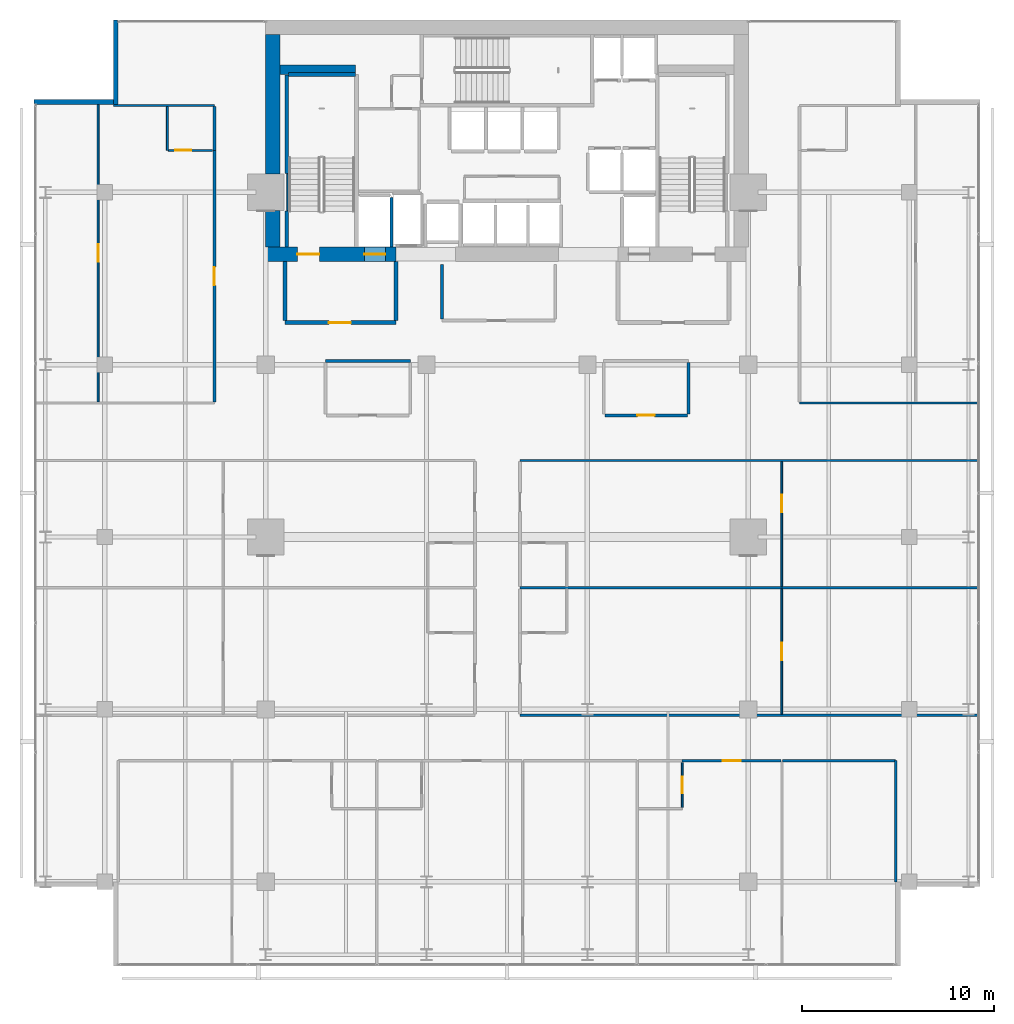
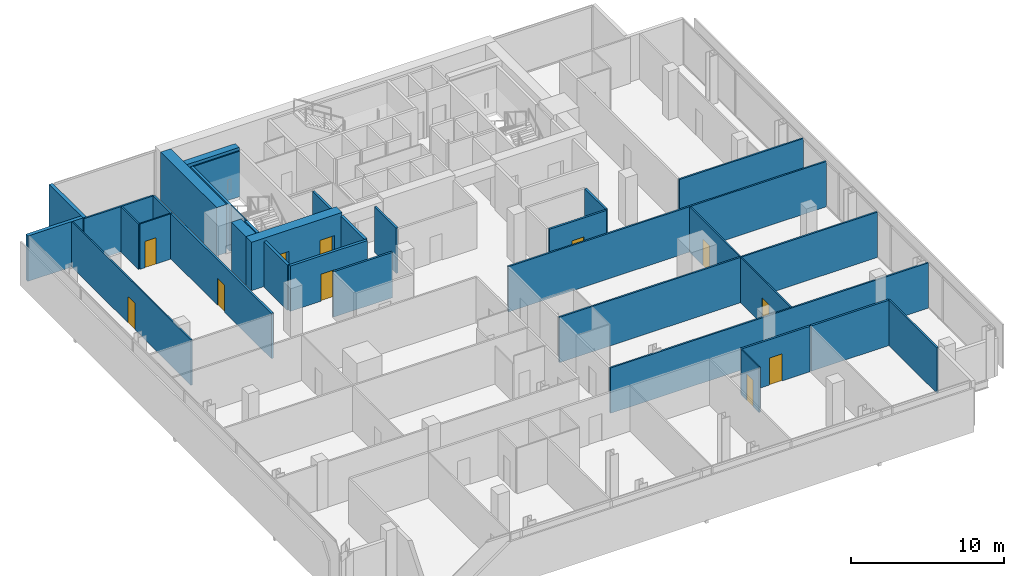
# One storey, part 28 of 32: 34 walls, 11 doors, 11 openings.
"""IFC4 building model written with IfcOpenShell, lengths in metres."""

from ifc_helpers import new_model, si_unit, direction, frame, frame_2d, origin, place, context, subcontext, project, spatial, rectangle, extrude, material, layer, layer_set, type_object, element, fill, save


model = new_model("IFC4")

# Units and contexts
model_context = context("Model", 3, precision=1e-05, world=origin(), true_north=direction((0.0, 1.0)))
body_context = subcontext(model_context, "Body", "Model", "MODEL_VIEW")
ifc_project = project(units=[si_unit("LENGTHUNIT", "METRE"), si_unit("AREAUNIT", "SQUARE_METRE"), si_unit("VOLUMEUNIT", "CUBIC_METRE"), si_unit("PLANEANGLEUNIT", "RADIAN"), si_unit("MASSUNIT", "GRAM", prefix="KILO")], contexts=[model_context])

# Site, building, storey
site_placement = place(None, origin())
site = spatial("IfcSite", under=ifc_project, at=site_placement, CompositionType="ELEMENT")
building_placement = place(site_placement, origin())
building = spatial("IfcBuilding", under=site, at=building_placement, Name="Maruvema Waterfront Hotel and Observation Tower", CompositionType="ELEMENT")
storey_placement = place(building_placement, frame((0.0, 0.0, 162.050048828125)))
storey = spatial("IfcBuildingStorey", under=building, at=storey_placement, Name="L39", CompositionType="ELEMENT", Elevation=162.050048828125)

# Walls
ifc_material_1 = material(Name="Twin-stud acoustic gypsum drywall", Category="gypsum")
ifc_layer_1 = layer(ifc_material_1, 0.14990234375, Name="Acoustic Corridor and Suite Demising Wall 150 mm")
ifc_layer_set_1 = layer_set([ifc_layer_1], Name="Twin-stud acoustic gypsum drywall")
wall_type_1 = type_object("IfcWallType", Name="Acoustic Corridor and Suite Demising Wall 150 mm", PredefinedType="PARTITIONING", material=ifc_layer_set_1)
wall_1_placement = place(storey_placement, frame((34.39990234375, 38.3798828125, 0.0), z_axis=(0.0, 0.0, 1.0), x_axis=(0.0, 1.0, 0.0)))
element("IfcWall", 1, at=wall_1_placement, inside=storey, type_object=wall_type_1, Name="L39 Core Apron K0 West 019", PredefinedType="PARTITIONING", context=body_context, shape_type="SweptSolid", body=[
    extrude(rectangle(XDim=2.840087890625, YDim=0.14990234375, at=frame_2d((1.419921875, 0.0))), origin(), (0.0, 0.0, 1.0), 3.60986328125),
])
wall_2_placement = place(storey_placement, frame((28.320068359375, 36.199951171875, 0.0), z_axis=(0.0, 0.0, 1.0), x_axis=(1.0, 0.0, 0.0)))
element("IfcWall", 2, at=wall_2_placement, inside=storey, type_object=wall_type_1, Name="L39 L39-M1 Back Wall 021", PredefinedType="PARTITIONING", context=body_context, shape_type="SweptSolid", body=[
    extrude(rectangle(XDim=4.429931640625, YDim=0.14990234375, at=frame_2d((2.21484375, 0.0))), origin(), (0.0, 0.0, 1.0), 3.60986328125),
])
wall_3_placement = place(storey_placement, frame((47.280029296875, 33.429931640625, 0.0), z_axis=(0.0, 0.0, 1.0), x_axis=(0.0, 1.0, 0.0)))
element("IfcWall", 3, at=wall_3_placement, inside=storey, type_object=wall_type_1, Name="L39 L39-M2 East Wall 027", PredefinedType="PARTITIONING", context=body_context, shape_type="SweptSolid", body=[
    extrude(rectangle(XDim=2.690185546875, YDim=0.14990234375, at=frame_2d((1.34521484375, 0.0))), origin(), (0.0, 0.0, 1.0), 3.60986328125),
])

# Wall, opening, door
wall_4_placement = place(storey_placement, frame((42.909912109375, 33.35009765625, 0.0), z_axis=(0.0, 0.0, 1.0), x_axis=(1.0, 0.0, 0.0)))
wall_4 = element("IfcWall", 4, at=wall_4_placement, inside=storey, type_object=wall_type_1, Name="L39 L39-M2 Front 1 028", PredefinedType="PARTITIONING", context=body_context, shape_type="SweptSolid", body=[
    extrude(rectangle(XDim=4.31005859375, YDim=0.14990234375, at=frame_2d((2.155029296875, 0.0))), origin(), (0.0, 0.0, 1.0), 3.60986328125),
])
opening_1_placement = place(wall_4_placement, frame((1.705078125, 0.0, 0.0)))
opening_1 = element("IfcOpeningElement", 5, at=opening_1_placement, cuts=wall_4, Name="Opening DR-090", PredefinedType="OPENING", context=body_context, shape_type="SweptSolid", body=[
    extrude(rectangle(XDim=0.89990234375, YDim=2.10009765625, at=frame_2d((0.449951171875, 1.050048828125))), frame((0.0, 0.0849609375, 0.0), z_axis=(0.0, -1.0, 0.0), x_axis=(1.0, 0.0, 0.0)), (0.0, 0.0, 1.0), 0.169921875),
])
ifc_material_2 = material(Name="Solid-core lacquered timber leaf", Category="wood")
door_type_1 = type_object("IfcDoorType", Name="Accessible Toilet and Room Door 900x2100 mm", OperationType="NOTDEFINED", PredefinedType="DOOR", material=ifc_material_2)
door_1_placement = place(opening_1_placement, frame((0.89990234375, 0.0, 0.0), z_axis=(0.0, 0.0, 1.0), x_axis=(-1.0, 0.0, 0.0)))
door_1 = element("IfcDoor", 6, at=door_1_placement, inside=storey, type_object=door_type_1, Name="L39 Chef Kitchen 3 Door", OperationType="SINGLE_SWING_LEFT", OverallHeight=2.10009765625, OverallWidth=0.89990234375, PredefinedType="DOOR", context=body_context, shape_type="SweptSolid", body=[
    extrude(rectangle(XDim=0.89990234375, YDim=2.10009765625, at=frame_2d((0.449951171875, 1.050048828125))), frame((0.0, 0.02490234375, 0.0), z_axis=(0.0, -1.0, 0.0), x_axis=(1.0, 0.0, 0.0)), (0.0, 0.0, 1.0), 0.050048828125),
])
fill(opening_1, door_1)

wall_5_placement = place(storey_placement, frame((46.949951171875, 15.320068359375, 0.0), z_axis=(0.0, 0.0, 1.0), x_axis=(1.0, 0.0, 0.0)))
wall_5 = element("IfcWall", 7, at=wall_5_placement, inside=storey, type_object=wall_type_1, Name="L39 Unit L39-S3 Corridor Wall 048", PredefinedType="PARTITIONING", context=body_context, shape_type="SweptSolid", body=[
    extrude(rectangle(XDim=5.170166015625, YDim=0.14990234375, at=frame_2d((2.5849609375, 0.0))), origin(), (0.0, 0.0, 1.0), 3.60986328125),
])
opening_2_placement = place(wall_5_placement, frame((2.110107421875, 0.0, 0.0)))
opening_2 = element("IfcOpeningElement", 8, at=opening_2_placement, cuts=wall_5, Name="Opening DR-095", PredefinedType="OPENING", context=body_context, shape_type="SweptSolid", body=[
    extrude(rectangle(XDim=0.949951171875, YDim=2.14990234375, at=frame_2d((0.47509765625, 1.074951171875))), frame((0.0, 0.0849609375, 0.0), z_axis=(0.0, -1.0, 0.0), x_axis=(1.0, 0.0, 0.0)), (0.0, 0.0, 1.0), 0.169921875),
])
ifc_material_3 = material(Name="Acoustic solid-core hardwood timber leaf", Category="wood")
door_type_2 = type_object("IfcDoorType", Name="Guestroom Entrance Fire Door 950x2150 mm", OperationType="NOTDEFINED", PredefinedType="DOOR", material=ifc_material_3)
door_2_placement = place(opening_2_placement, frame((0.949951171875, 0.0, 0.0), z_axis=(0.0, 0.0, 1.0), x_axis=(-1.0, 0.0, 0.0)))
door_2 = element("IfcDoor", 9, at=door_2_placement, inside=storey, type_object=door_type_2, Name="L39 Unit L39-S3 Entrance Door", OperationType="SINGLE_SWING_LEFT", OverallHeight=2.14990234375, OverallWidth=0.949951171875, PredefinedType="DOOR", context=body_context, shape_type="SweptSolid", body=[
    extrude(rectangle(XDim=0.949951171875, YDim=2.14990234375, at=frame_2d((0.47509765625, 1.074951171875))), frame((0.0, 0.02490234375, 0.0), z_axis=(0.0, -1.0, 0.0), x_axis=(1.0, 0.0, 0.0)), (0.0, 0.0, 1.0), 0.050048828125),
])
fill(opening_2, door_2)

# Wall
wall_6_placement = place(storey_placement, frame((52.199951171875, 15.320068359375, 0.0), z_axis=(0.0, 0.0, 1.0), x_axis=(1.0, 0.0, 0.0)))
element("IfcWall", 10, at=wall_6_placement, inside=storey, type_object=wall_type_1, Name="L39 Bedroom L39-S3 Back Wall 049", PredefinedType="PARTITIONING", context=body_context, shape_type="SweptSolid", body=[
    extrude(rectangle(XDim=5.880126953125, YDim=0.14990234375, at=frame_2d((2.93994140625, 0.0))), origin(), (0.0, 0.0, 1.0), 3.60986328125),
])

# Wall, opening, door
wall_7_placement = place(storey_placement, frame((22.52001953125, 34.06005859375, 0.0), z_axis=(0.0, 0.0, 1.0), x_axis=(0.0, 1.0, 0.0)))
wall_7 = element("IfcWall", 11, at=wall_7_placement, inside=storey, type_object=wall_type_1, Name="L39 Room L39-NW1 Corridor Wall 081", PredefinedType="PARTITIONING", context=body_context, shape_type="SweptSolid", body=[
    extrude(rectangle(XDim=13.12744140625, YDim=0.14990234375, at=frame_2d((6.563720703125, 0.0))), origin(), (0.0, 0.0, 1.0), 3.60986328125),
])
opening_3_placement = place(wall_7_placement, frame((6.088623046875, 0.0, 0.0)))
opening_3 = element("IfcOpeningElement", 12, at=opening_3_placement, cuts=wall_7, Name="Opening DR-095", PredefinedType="OPENING", context=body_context, shape_type="SweptSolid", body=[
    extrude(rectangle(XDim=0.949951171875, YDim=2.14990234375, at=frame_2d((0.47509765625, 1.074951171875))), frame((0.0, 0.0849609375, 0.0), z_axis=(0.0, -1.0, 0.0), x_axis=(1.0, 0.0, 0.0)), (0.0, 0.0, 1.0), 0.169921875),
])
door_3_placement = place(opening_3_placement, origin())
door_3 = element("IfcDoor", 13, at=door_3_placement, inside=storey, type_object=door_type_2, Name="L39 Room L39-NW1 Entrance Door", OperationType="SINGLE_SWING_RIGHT", OverallHeight=2.14990234375, OverallWidth=0.949951171875, PredefinedType="DOOR", context=body_context, shape_type="SweptSolid", body=[
    extrude(rectangle(XDim=0.949951171875, YDim=2.14990234375, at=frame_2d((0.47509765625, 1.074951171875))), frame((0.0, 0.02490234375, 0.0), z_axis=(0.0, -1.0, 0.0), x_axis=(1.0, 0.0, 0.0)), (0.0, 0.0, 1.0), 0.050048828125),
])
fill(opening_3, door_3)

# Walls
wall_8_placement = place(storey_placement, frame((22.52001953125, 47.1875, 0.0), z_axis=(0.0, 0.0, 1.0), x_axis=(0.0, 1.0, 0.0)))
element("IfcWall", 14, at=wall_8_placement, inside=storey, type_object=wall_type_1, Name="L39 Bath L39-NW1 Wall 082", PredefinedType="PARTITIONING", context=body_context, shape_type="SweptSolid", body=[
    extrude(rectangle(XDim=2.2900390625, YDim=0.14990234375, at=frame_2d((1.14501953125, 0.0))), origin(), (0.0, 0.0, 1.0), 3.60986328125),
])
ifc_material_4 = material(Name="Precast concrete C45/55", Category="concrete")
ifc_layer_2 = layer(ifc_material_4, 0.199951171875, Name="Core Shaft and Stairwell Enclosure Wall 200 mm")
ifc_layer_set_2 = layer_set([ifc_layer_2], Name="Precast concrete C45/55")
wall_type_2 = type_object("IfcWallType", Name="Core Shaft and Stairwell Enclosure Wall 200 mm", PredefinedType="SOLIDWALL", material=ifc_layer_set_2)
wall_9_placement = place(storey_placement, frame((26.300048828125, 42.14990234375, 0.0), z_axis=(0.0, 0.0, 1.0), x_axis=(0.0, 1.0, 0.0)))
element("IfcWall", 15, at=wall_9_placement, inside=storey, type_object=wall_type_2, Name="L39 Stairwell ST-01 Shaft Lining Wall", PredefinedType="SOLIDWALL", context=body_context, shape_type="SweptSolid", body=[
    extrude(rectangle(XDim=1.8701171875, YDim=0.199951171875, at=frame_2d((0.93505859375, 0.0))), origin(), (0.0, 0.0, 1.0), 3.60986328125),
])
wall_10_placement = place(storey_placement, frame((26.300048828125, 45.97998046875, 0.0), z_axis=(0.0, 0.0, 1.0), x_axis=(0.0, 1.0, 0.0)))
element("IfcWall", 16, at=wall_10_placement, inside=storey, type_object=wall_type_2, Name="L39 Stairwell ST-01 Shaft Lining Wall", PredefinedType="SOLIDWALL", context=body_context, shape_type="SweptSolid", body=[
    extrude(rectangle(XDim=5.14013671875, YDim=0.199951171875, at=frame_2d((2.570068359375, 0.0))), origin(), (0.0, 0.0, 1.0), 3.60986328125),
])
wall_11_placement = place(storey_placement, frame((26.3798828125, 51.14990234375, 0.0), z_axis=(0.0, 0.0, 1.0), x_axis=(1.0, 0.0, 0.0)))
element("IfcWall", 17, at=wall_11_placement, inside=storey, type_object=wall_type_2, Name="L39 Stairwell ST-01 Shaft Lining Wall", PredefinedType="SOLIDWALL", context=body_context, shape_type="SweptSolid", body=[
    extrude(rectangle(XDim=3.5, YDim=0.199951171875, at=frame_2d((1.75, 0.0))), origin(), (0.0, 0.0, 1.0), 3.60986328125),
])
ifc_material_5 = material(Name="Concrete C70/85", Category="concrete")
ifc_layer_3 = layer(ifc_material_5, 0.5, Name="Core Shear Wall 500 mm")
ifc_layer_set_3 = layer_set([ifc_layer_3], Name="Concrete C70/85")
wall_type_3 = type_object("IfcWallType", Name="Core Shear Wall 500 mm", PredefinedType="SHEAR", material=ifc_layer_set_3)
wall_12_placement = place(storey_placement, frame((25.949951171875, 51.39990234375, 0.0), z_axis=(0.0, 0.0, 1.0), x_axis=(1.0, 0.0, 0.0)))
element("IfcWall", 18, at=wall_12_placement, inside=storey, type_object=wall_type_3, Name="L39 Internal Core Shear Wall NW 500 mm", PredefinedType="SHEAR", context=body_context, shape_type="SweptSolid", body=[
    extrude(rectangle(XDim=3.949951171875, YDim=0.5, at=frame_2d((1.97509765625, 0.0))), origin(), (0.0, 0.0, 1.0), 3.849853515625),
])

# Wall, openings, doors
ifc_material_6 = material(Name="Concrete C70/85", Category="concrete")
ifc_layer_4 = layer(ifc_material_6, 0.75, Name="Core Shear Wall 750 mm")
ifc_layer_set_4 = layer_set([ifc_layer_4], Name="Concrete C70/85")
wall_type_4 = type_object("IfcWallType", Name="Core Shear Wall 750 mm", PredefinedType="SHEAR", material=ifc_layer_set_4)
wall_13_placement = place(storey_placement, frame((25.199951171875, 41.77490234375, 0.0), z_axis=(0.0, 0.0, 1.0), x_axis=(1.0, 0.0, 0.0)))
wall_13 = element("IfcWall", 19, at=wall_13_placement, inside=storey, type_object=wall_type_4, Name="L39 South-West Core Shear Wall", PredefinedType="SHEAR", context=body_context, shape_type="SweptSolid", body=[
    extrude(rectangle(XDim=6.800048828125, YDim=0.75, at=frame_2d((3.39990234375, 0.0))), origin(), (0.0, 0.0, 1.0), 3.849853515625),
])
opening_4_placement = place(wall_13_placement, frame((1.64990234375, 0.0, 0.0)))
opening_4 = element("IfcOpeningElement", 20, at=opening_4_placement, cuts=wall_13, Name="Opening SD-01", PredefinedType="OPENING", context=body_context, shape_type="SweptSolid", body=[
    extrude(rectangle(XDim=1.14990234375, YDim=2.14990234375, at=frame_2d((0.574951171875, 1.074951171875))), frame((0.0, 0.385009765625, 0.0), z_axis=(0.0, -1.0, 0.0), x_axis=(1.0, 0.0, 0.0)), (0.0, 0.0, 1.0), 0.77001953125),
])
opening_5_placement = place(wall_13_placement, frame((5.14990234375, 0.0, 0.0)))
opening_5 = element("IfcOpeningElement", 21, at=opening_5_placement, cuts=wall_13, Name="Opening LD-03", PredefinedType="OPENING", context=body_context, shape_type="SweptSolid", body=[
    extrude(rectangle(XDim=1.10009765625, YDim=2.199951171875, at=frame_2d((0.550048828125, 1.10009765625))), frame((0.0, 0.385009765625, 0.0), z_axis=(0.0, -1.0, 0.0), x_axis=(1.0, 0.0, 0.0)), (0.0, 0.0, 1.0), 0.77001953125),
])
ifc_material_7 = material(Name="Fire-rated galvanised steel leaf", Category="steel")
door_type_3 = type_object("IfcDoorType", Name="Exit Stair Fire Door 1150x2150 mm", OperationType="NOTDEFINED", PredefinedType="DOOR", material=ifc_material_7)
door_4_placement = place(opening_4_placement, origin())
door_4 = element("IfcDoor", 22, at=door_4_placement, inside=storey, type_object=door_type_3, Name="L39 Exit Stair ST-01 Fire Door", OperationType="SINGLE_SWING_LEFT", OverallHeight=2.14990234375, OverallWidth=1.14990234375, PredefinedType="DOOR", context=body_context, shape_type="SweptSolid", body=[
    extrude(rectangle(XDim=1.14990234375, YDim=2.14990234375, at=frame_2d((0.574951171875, 1.074951171875))), frame((0.0, 0.02490234375, 0.0), z_axis=(0.0, -1.0, 0.0), x_axis=(1.0, 0.0, 0.0)), (0.0, 0.0, 1.0), 0.050048828125),
])
fill(opening_4, door_4)
ifc_material_8 = material(Name="Brushed stainless steel Grade 316", Category="steel")
door_type_4 = type_object("IfcDoorType", Name="Firefighting Lift Sliding Landing Door 1100x2200 mm", OperationType="SLIDING_TO_LEFT", PredefinedType="DOOR", material=ifc_material_8)
door_5_placement = place(opening_5_placement, frame((1.10009765625, 0.0, 0.0), z_axis=(0.0, 0.0, 1.0), x_axis=(-1.0, 0.0, 0.0)))
door_5 = element("IfcDoor", 23, at=door_5_placement, inside=storey, type_object=door_type_4, Name="L39 Firefighting Lift FL-01 Landing Door", OperationType="SLIDING_TO_LEFT", OverallHeight=2.199951171875, OverallWidth=1.10009765625, PredefinedType="DOOR", context=body_context, shape_type="SweptSolid", body=[
    extrude(rectangle(XDim=1.10009765625, YDim=2.199951171875, at=frame_2d((0.550048828125, 1.10009765625))), frame((0.0, 0.02490234375, 0.0), z_axis=(0.0, -1.0, 0.0), x_axis=(1.0, 0.0, 0.0)), (0.0, 0.0, 1.0), 0.050048828125),
])
fill(opening_5, door_5)

# Walls
wall_14_placement = place(storey_placement, frame((25.574951171875, 42.14990234375, 0.0), z_axis=(0.0, 0.0, 1.0), x_axis=(0.0, 1.0, 0.0)))
element("IfcWall", 24, at=wall_14_placement, inside=storey, type_object=wall_type_4, Name="L39 West-South Core Shear Wall", PredefinedType="SHEAR", context=body_context, shape_type="SweptSolid", body=[
    extrude(rectangle(XDim=1.900146484375, YDim=0.75, at=frame_2d((0.9501953125, 0.0))), origin(), (0.0, 0.0, 1.0), 3.849853515625),
])
wall_15_placement = place(storey_placement, frame((25.574951171875, 45.949951171875, 0.0), z_axis=(0.0, 0.0, 1.0), x_axis=(0.0, 1.0, 0.0)))
element("IfcWall", 25, at=wall_15_placement, inside=storey, type_object=wall_type_4, Name="L39 West-North Core Shear Wall", PredefinedType="SHEAR", context=body_context, shape_type="SweptSolid", body=[
    extrude(rectangle(XDim=7.300048828125, YDim=0.75, at=frame_2d((3.64990234375, 0.0))), origin(), (0.0, 0.0, 1.0), 3.849853515625),
])

# Wall, opening, door
ifc_material_9 = material(Name="Moisture-resistant cement-board drywall", Category="gypsum")
ifc_layer_5 = layer(ifc_material_9, 0.10009765625, Name="En-Suite Moisture-Resistant Partition 100 mm")
ifc_layer_set_5 = layer_set([ifc_layer_5], Name="Moisture-resistant cement-board drywall")
wall_type_5 = type_object("IfcWallType", Name="En-Suite Moisture-Resistant Partition 100 mm", PredefinedType="PARTITIONING", material=ifc_layer_set_5)
wall_16_placement = place(storey_placement, frame((46.949951171875, 12.8798828125, 0.0), z_axis=(0.0, 0.0, 1.0), x_axis=(0.0, 1.0, 0.0)))
wall_16 = element("IfcWall", 26, at=wall_16_placement, inside=storey, type_object=wall_type_5, Name="L39 En-Suite L39-S3 East 047", PredefinedType="PARTITIONING", context=body_context, shape_type="SweptSolid", body=[
    extrude(rectangle(XDim=2.340087890625, YDim=0.10009765625, at=frame_2d((1.169921875, 0.0))), origin(), (0.0, 0.0, 1.0), 3.60986328125),
])
opening_6_placement = place(wall_16_placement, frame((0.7451171875, 0.0, 0.0)))
opening_6 = element("IfcOpeningElement", 27, at=opening_6_placement, cuts=wall_16, Name="Opening DR-085", PredefinedType="OPENING", context=body_context, shape_type="SweptSolid", body=[
    extrude(rectangle(XDim=0.85009765625, YDim=2.10009765625, at=frame_2d((0.425048828125, 1.050048828125))), frame((0.0, 0.06005859375, 0.0), z_axis=(0.0, -1.0, 0.0), x_axis=(1.0, 0.0, 0.0)), (0.0, 0.0, 1.0), 0.1201171875),
])
ifc_material_10 = material(Name="Moisture-resistant solid timber leaf", Category="wood")
door_type_5 = type_object("IfcDoorType", Name="En-Suite Bathroom Door 850x2100 mm", OperationType="NOTDEFINED", PredefinedType="DOOR", material=ifc_material_10)
door_6_placement = place(opening_6_placement, frame((0.85009765625, 0.0, 0.0), z_axis=(0.0, 0.0, 1.0), x_axis=(-1.0, 0.0, 0.0)))
door_6 = element("IfcDoor", 28, at=door_6_placement, inside=storey, type_object=door_type_5, Name="L39 En-Suite L39-S3 Door", OperationType="SINGLE_SWING_RIGHT", OverallHeight=2.10009765625, OverallWidth=0.85009765625, PredefinedType="DOOR", context=body_context, shape_type="SweptSolid", body=[
    extrude(rectangle(XDim=0.85009765625, YDim=2.10009765625, at=frame_2d((0.425048828125, 1.050048828125))), frame((0.0, 0.02490234375, 0.0), z_axis=(0.0, -1.0, 0.0), x_axis=(1.0, 0.0, 0.0)), (0.0, 0.0, 1.0), 0.050048828125),
])
fill(opening_6, door_6)

wall_17_placement = place(storey_placement, frame((52.146484375, 17.760009765625, 0.0), z_axis=(0.0, 0.0, 1.0), x_axis=(0.0, 1.0, 0.0)))
wall_17 = element("IfcWall", 29, at=wall_17_placement, inside=storey, type_object=wall_type_5, Name="L39 Suite L39-E1 Split 064", PredefinedType="PARTITIONING", context=body_context, shape_type="SweptSolid", body=[
    extrude(rectangle(XDim=6.530029296875, YDim=0.10009765625, at=frame_2d((3.26513671875, 0.0))), origin(), (0.0, 0.0, 1.0), 3.60986328125),
])
opening_7_placement = place(wall_17_placement, frame((2.81494140625, 0.0, 0.0)))
opening_7 = element("IfcOpeningElement", 30, at=opening_7_placement, cuts=wall_17, Name="Opening DR-090", PredefinedType="OPENING", context=body_context, shape_type="SweptSolid", body=[
    extrude(rectangle(XDim=0.89990234375, YDim=2.10009765625, at=frame_2d((0.449951171875, 1.050048828125))), frame((0.0, 0.06005859375, 0.0), z_axis=(0.0, -1.0, 0.0), x_axis=(1.0, 0.0, 0.0)), (0.0, 0.0, 1.0), 0.1201171875),
])
door_7_placement = place(opening_7_placement, frame((0.89990234375, 0.0, 0.0), z_axis=(0.0, 0.0, 1.0), x_axis=(-1.0, 0.0, 0.0)))
door_7 = element("IfcDoor", 31, at=door_7_placement, inside=storey, type_object=door_type_1, Name="L39 Suite L39-E1 Bedroom Door", OperationType="SINGLE_SWING_RIGHT", OverallHeight=2.10009765625, OverallWidth=0.89990234375, PredefinedType="DOOR", context=body_context, shape_type="SweptSolid", body=[
    extrude(rectangle(XDim=0.89990234375, YDim=2.10009765625, at=frame_2d((0.449951171875, 1.050048828125))), frame((0.0, 0.02490234375, 0.0), z_axis=(0.0, -1.0, 0.0), x_axis=(1.0, 0.0, 0.0)), (0.0, 0.0, 1.0), 0.050048828125),
])
fill(opening_7, door_7)

wall_18_placement = place(storey_placement, frame((52.146484375, 24.409912109375, 0.0), z_axis=(0.0, 0.0, 1.0), x_axis=(0.0, 1.0, 0.0)))
wall_18 = element("IfcWall", 32, at=wall_18_placement, inside=storey, type_object=wall_type_5, Name="L39 Suite L39-E2 Split 076", PredefinedType="PARTITIONING", context=body_context, shape_type="SweptSolid", body=[
    extrude(rectangle(XDim=6.530029296875, YDim=0.10009765625, at=frame_2d((3.26513671875, 0.0))), origin(), (0.0, 0.0, 1.0), 3.60986328125),
])
opening_8_placement = place(wall_18_placement, frame((3.89501953125, 0.0, 0.0)))
opening_8 = element("IfcOpeningElement", 33, at=opening_8_placement, cuts=wall_18, Name="Opening DR-090", PredefinedType="OPENING", context=body_context, shape_type="SweptSolid", body=[
    extrude(rectangle(XDim=0.89990234375, YDim=2.10009765625, at=frame_2d((0.449951171875, 1.050048828125))), frame((0.0, 0.06005859375, 0.0), z_axis=(0.0, -1.0, 0.0), x_axis=(1.0, 0.0, 0.0)), (0.0, 0.0, 1.0), 0.1201171875),
])
door_8_placement = place(opening_8_placement, frame((0.89990234375, 0.0, 0.0), z_axis=(0.0, 0.0, 1.0), x_axis=(-1.0, 0.0, 0.0)))
door_8 = element("IfcDoor", 34, at=door_8_placement, inside=storey, type_object=door_type_1, Name="L39 Suite L39-E2 Bedroom Door", OperationType="SINGLE_SWING_RIGHT", OverallHeight=2.10009765625, OverallWidth=0.89990234375, PredefinedType="DOOR", context=body_context, shape_type="SweptSolid", body=[
    extrude(rectangle(XDim=0.89990234375, YDim=2.10009765625, at=frame_2d((0.449951171875, 1.050048828125))), frame((0.0, 0.02490234375, 0.0), z_axis=(0.0, -1.0, 0.0), x_axis=(1.0, 0.0, 0.0)), (0.0, 0.0, 1.0), 0.050048828125),
])
fill(opening_8, door_8)

# Wall
wall_19_placement = place(storey_placement, frame((20.070068359375, 47.1875, 0.0), z_axis=(0.0, 0.0, 1.0), x_axis=(0.0, 1.0, 0.0)))
element("IfcWall", 35, at=wall_19_placement, inside=storey, type_object=wall_type_5, Name="L39 En-Suite L39-NW1 W 083", PredefinedType="PARTITIONING", context=body_context, shape_type="SweptSolid", body=[
    extrude(rectangle(XDim=2.2900390625, YDim=0.10009765625, at=frame_2d((1.14501953125, 0.0))), origin(), (0.0, 0.0, 1.0), 3.60986328125),
])

# Wall, opening, door
wall_20_placement = place(storey_placement, frame((20.1201171875, 47.1875, 0.0), z_axis=(0.0, 0.0, 1.0), x_axis=(1.0, 0.0, 0.0)))
wall_20 = element("IfcWall", 36, at=wall_20_placement, inside=storey, type_object=wall_type_5, Name="L39 En-Suite L39-NW1 S 084", PredefinedType="PARTITIONING", context=body_context, shape_type="SweptSolid", body=[
    extrude(rectangle(XDim=2.2998046875, YDim=0.10009765625, at=frame_2d((1.14990234375, 0.0))), origin(), (0.0, 0.0, 1.0), 3.60986328125),
])
opening_9_placement = place(wall_20_placement, frame((0.35009765625, 0.0, 0.0)))
opening_9 = element("IfcOpeningElement", 37, at=opening_9_placement, cuts=wall_20, Name="Opening DR-085", PredefinedType="OPENING", context=body_context, shape_type="SweptSolid", body=[
    extrude(rectangle(XDim=0.85009765625, YDim=2.10009765625, at=frame_2d((0.425048828125, 1.050048828125))), frame((0.0, 0.06005859375, 0.0), z_axis=(0.0, -1.0, 0.0), x_axis=(1.0, 0.0, 0.0)), (0.0, 0.0, 1.0), 0.1201171875),
])
door_9_placement = place(opening_9_placement, frame((0.85009765625, 0.0, 0.0), z_axis=(0.0, 0.0, 1.0), x_axis=(-1.0, 0.0, 0.0)))
door_9 = element("IfcDoor", 38, at=door_9_placement, inside=storey, type_object=door_type_5, Name="L39 En-Suite L39-NW1 Door", OperationType="SINGLE_SWING_LEFT", OverallHeight=2.10009765625, OverallWidth=0.85009765625, PredefinedType="DOOR", context=body_context, shape_type="SweptSolid", body=[
    extrude(rectangle(XDim=0.85009765625, YDim=2.10009765625, at=frame_2d((0.425048828125, 1.050048828125))), frame((0.0, 0.02490234375, 0.0), z_axis=(0.0, -1.0, 0.0), x_axis=(1.0, 0.0, 0.0)), (0.0, 0.0, 1.0), 0.050048828125),
])
fill(opening_9, door_9)

wall_21_placement = place(storey_placement, frame((16.445556640625, 34.06005859375, 0.0), z_axis=(0.0, 0.0, 1.0), x_axis=(0.0, 1.0, 0.0)))
wall_21 = element("IfcWall", 39, at=wall_21_placement, inside=storey, type_object=wall_type_5, Name="L39 Suite L39-NW1 Split 085", PredefinedType="PARTITIONING", context=body_context, shape_type="SweptSolid", body=[
    extrude(rectangle(XDim=15.537353515625, YDim=0.10009765625, at=frame_2d((7.7685546875, 0.0))), origin(), (0.0, 0.0, 1.0), 3.60986328125),
])
opening_10_placement = place(wall_21_placement, frame((7.318603515625, 0.0, 0.0)))
opening_10 = element("IfcOpeningElement", 40, at=opening_10_placement, cuts=wall_21, Name="Opening DR-090", PredefinedType="OPENING", context=body_context, shape_type="SweptSolid", body=[
    extrude(rectangle(XDim=0.89990234375, YDim=2.10009765625, at=frame_2d((0.449951171875, 1.050048828125))), frame((0.0, 0.06005859375, 0.0), z_axis=(0.0, -1.0, 0.0), x_axis=(1.0, 0.0, 0.0)), (0.0, 0.0, 1.0), 0.1201171875),
])
door_10_placement = place(opening_10_placement, origin())
door_10 = element("IfcDoor", 41, at=door_10_placement, inside=storey, type_object=door_type_1, Name="L39 Suite L39-NW1 Bedroom Door", OperationType="SINGLE_SWING_LEFT", OverallHeight=2.10009765625, OverallWidth=0.89990234375, PredefinedType="DOOR", context=body_context, shape_type="SweptSolid", body=[
    extrude(rectangle(XDim=0.89990234375, YDim=2.10009765625, at=frame_2d((0.449951171875, 1.050048828125))), frame((0.0, 0.02490234375, 0.0), z_axis=(0.0, -1.0, 0.0), x_axis=(1.0, 0.0, 0.0)), (0.0, 0.0, 1.0), 0.050048828125),
])
fill(opening_10, door_10)

# Walls
ifc_material_11 = material(Name="Precast concrete C45/55 with honed Pernambuco granite facing", Category="masonry")
ifc_layer_6 = layer(ifc_material_11, 0.260009765625, Name="Exterior Granite Clad Spandrel and Pier Wall 260 mm")
ifc_layer_set_6 = layer_set([ifc_layer_6], Name="Precast concrete C45/55 with honed Pernambuco granite facing")
wall_type_6 = type_object("IfcWallType", Name="Exterior Granite Clad Spandrel and Pier Wall 260 mm", PredefinedType="SOLIDWALL", material=ifc_layer_set_6)
for number, where, z_axis, x_axis, name in (
    (42, (17.3701171875, 49.60009765625, 0.0), (0.0, 0.0, 1.0), (0.0, 1.0, 0.0), "L39 Corner Notch Granite Pier Wall NW1"),
    (43, (13.10009765625, 49.72998046875, 0.0), (0.0, 0.0, 1.0), (1.0, 0.0, 0.0), "L39 Corner Notch Granite Pier Wall NW2"),
):
    element("IfcWall", number, at=place(storey_placement, frame(where, z_axis=z_axis, x_axis=x_axis)), inside=storey, type_object=wall_type_6, Name=name, PredefinedType="SOLIDWALL", context=body_context, shape_type="SweptSolid", body=[
        extrude(rectangle(XDim=4.39990234375, YDim=0.260009765625, at=frame_2d((2.199951171875, 0.0))), origin(), (0.0, 0.0, 1.0), 3.60986328125),
    ])

# Wall, opening, door
ifc_material_12 = material(Name="Autoclaved cellular concrete blockwork", Category="masonry")
ifc_layer_7 = layer(ifc_material_12, 0.199951171875, Name="Fire Compartment Masonry Wall 200 mm")
ifc_layer_set_7 = layer_set([ifc_layer_7], Name="Autoclaved cellular concrete blockwork")
wall_type_7 = type_object("IfcWallType", Name="Fire Compartment Masonry Wall 200 mm", PredefinedType="PARTITIONING", material=ifc_layer_set_7)
wall_22_placement = place(storey_placement, frame((26.199951171875, 38.199951171875, 0.0), z_axis=(0.0, 0.0, 1.0), x_axis=(1.0, 0.0, 0.0)))
wall_22 = element("IfcWall", 44, at=wall_22_placement, inside=storey, type_object=wall_type_7, Name="L39 FFL West South Wall 001", PredefinedType="PARTITIONING", context=body_context, shape_type="SweptSolid", body=[
    extrude(rectangle(XDim=5.800048828125, YDim=0.199951171875, at=frame_2d((2.89990234375, 0.0))), origin(), (0.0, 0.0, 1.0), 3.60986328125),
])
opening_11_placement = place(wall_22_placement, frame((2.300048828125, 0.0, 0.0)))
opening_11 = element("IfcOpeningElement", 45, at=opening_11_placement, cuts=wall_22, Name="Opening FD-115", PredefinedType="OPENING", context=body_context, shape_type="SweptSolid", body=[
    extrude(rectangle(XDim=1.14990234375, YDim=2.14990234375, at=frame_2d((0.574951171875, 1.074951171875))), frame((0.0, 0.10986328125, 0.0), z_axis=(0.0, -1.0, 0.0), x_axis=(1.0, 0.0, 0.0)), (0.0, 0.0, 1.0), 0.219970703125),
])
ifc_material_13 = material(Name="Fire-rated galvanised steel and vision glass", Category="steel")
door_type_6 = type_object("IfcDoorType", Name="Firefighting Lobby Fire Door 1150x2150 mm", OperationType="NOTDEFINED", PredefinedType="DOOR", material=ifc_material_13)
door_11_placement = place(opening_11_placement, frame((1.14990234375, 0.0, 0.0), z_axis=(0.0, 0.0, 1.0), x_axis=(-1.0, 0.0, 0.0)))
door_11 = element("IfcDoor", 46, at=door_11_placement, inside=storey, type_object=door_type_6, Name="L39 Firefighting Lobby West Door", OperationType="SINGLE_SWING_LEFT", OverallHeight=2.14990234375, OverallWidth=1.14990234375, PredefinedType="DOOR", context=body_context, shape_type="SweptSolid", body=[
    extrude(rectangle(XDim=1.14990234375, YDim=2.14990234375, at=frame_2d((0.574951171875, 1.074951171875))), frame((0.0, 0.02490234375, 0.0), z_axis=(0.0, -1.0, 0.0), x_axis=(1.0, 0.0, 0.0)), (0.0, 0.0, 1.0), 0.050048828125),
])
fill(opening_11, door_11)

# Walls
for number, where, z_axis, x_axis, name in (
    (47, (26.199951171875, 38.31005859375, 0.0), (0.0, 0.0, 1.0), (0.0, 1.0, 0.0), "L39 FFL West West Wall 002"),
    (48, (32.0, 38.31005859375, 0.0), (0.0, 0.0, 1.0), (0.0, 1.0, 0.0), "L39 FFL West East Wall 003"),
):
    element("IfcWall", number, at=place(storey_placement, frame(where, z_axis=z_axis, x_axis=x_axis)), inside=storey, type_object=wall_type_7, Name=name, PredefinedType="PARTITIONING", context=body_context, shape_type="SweptSolid", body=[
        extrude(rectangle(XDim=3.06982421875, YDim=0.199951171875, at=frame_2d((1.534912109375, 0.0))), origin(), (0.0, 0.0, 1.0), 3.60986328125),
    ])
ifc_material_14 = material(Name="Acoustic gypsum plasterboard drywall", Category="gypsum")
ifc_layer_8 = layer(ifc_material_14, 0.125, Name="Guestroom Acoustic Demising Wall 125 mm")
ifc_layer_set_8 = layer_set([ifc_layer_8], Name="Acoustic gypsum plasterboard drywall")
wall_type_8 = type_object("IfcWallType", Name="Guestroom Acoustic Demising Wall 125 mm", PredefinedType="PARTITIONING", material=ifc_layer_set_8)
wall_23_placement = place(storey_placement, frame((58.10009765625, 9.0, 0.0), z_axis=(0.0, 0.0, 1.0), x_axis=(0.0, 1.0, 0.0)))
element("IfcWall", 49, at=wall_23_placement, inside=storey, type_object=wall_type_8, Name="L39 Z2 S East End 030", PredefinedType="PARTITIONING", context=body_context, shape_type="SweptSolid", body=[
    extrude(rectangle(XDim=6.320068359375, YDim=0.125, at=frame_2d((3.16015625, 0.0))), origin(), (0.0, 0.0, 1.0), 3.60986328125),
])
for number, where, z_axis, x_axis, name in (
    (50, (38.47998046875, 17.699951171875, 0.0), (0.0, 0.0, 1.0), (1.0, 0.0, 0.0), "L39 Z2 E Bot End 052"),
    (51, (38.47998046875, 31.0, 0.0), (0.0, 0.0, 1.0), (1.0, 0.0, 0.0), "L39 Z2 E Top End 054"),
    (52, (38.47998046875, 24.35009765625, 0.0), (0.0, 0.0, 1.0), (1.0, 0.0, 0.0), "L39 Z2 E Demising 2 066"),
):
    element("IfcWall", number, at=place(storey_placement, frame(where, z_axis=z_axis, x_axis=x_axis)), inside=storey, type_object=wall_type_8, Name=name, PredefinedType="PARTITIONING", context=body_context, shape_type="SweptSolid", body=[
        extrude(rectangle(XDim=23.919921875, YDim=0.125, at=frame_2d((11.9599609375, 0.0))), origin(), (0.0, 0.0, 1.0), 3.60986328125),
    ])
wall_24_placement = place(storey_placement, frame((53.080078125, 34.0, 0.0), z_axis=(0.0, 0.0, 1.0), x_axis=(1.0, 0.0, 0.0)))
element("IfcWall", 53, at=wall_24_placement, inside=storey, type_object=wall_type_8, Name="L39 Z2 NE Bot End 078", PredefinedType="PARTITIONING", context=body_context, shape_type="SweptSolid", body=[
    extrude(rectangle(XDim=9.31982421875, YDim=0.125, at=frame_2d((4.659912109375, 0.0))), origin(), (0.0, 0.0, 1.0), 3.60986328125),
])
wall_25_placement = place(storey_placement, frame((17.239990234375, 49.53759765625, 0.0), z_axis=(0.0, 0.0, 1.0), x_axis=(1.0, 0.0, 0.0)))
element("IfcWall", 54, at=wall_25_placement, inside=storey, type_object=wall_type_8, Name="L39 Z2 NW Top End 079", PredefinedType="PARTITIONING", context=body_context, shape_type="SweptSolid", body=[
    extrude(rectangle(XDim=5.280029296875, YDim=0.125, at=frame_2d((2.64013671875, 0.0))), origin(), (0.0, 0.0, 1.0), 3.60986328125),
])
ifc_material_15 = material(Name="Precast concrete C45/55", Category="concrete")
ifc_layer_9 = layer(ifc_material_15, 0.159912109375, Name="Lift Hoistway Divider Wall 160 mm")
ifc_layer_set_9 = layer_set([ifc_layer_9], Name="Precast concrete C45/55")
wall_type_9 = type_object("IfcWallType", Name="Lift Hoistway Divider Wall 160 mm", PredefinedType="SOLIDWALL", material=ifc_layer_set_9)
wall_26_placement = place(storey_placement, frame((31.780029296875, 42.14990234375, 0.0), z_axis=(0.0, 0.0, 1.0), x_axis=(0.0, 1.0, 0.0)))
element("IfcWall", 55, at=wall_26_placement, inside=storey, type_object=wall_type_9, Name="L39 Lift FL-01 Inner Hoistway Wall", PredefinedType="SOLIDWALL", context=body_context, shape_type="SweptSolid", body=[
    extrude(rectangle(XDim=2.590087890625, YDim=0.159912109375, at=frame_2d((1.294921875, 0.0))), origin(), (0.0, 0.0, 1.0), 3.60986328125),
])
ifc_material_16 = material(Name="Precast concrete C45/55", Category="concrete")
ifc_layer_10 = layer(ifc_material_16, 0.10009765625, Name="Stairwell Stringer Cheek Wall 100 mm")
ifc_layer_set_10 = layer_set([ifc_layer_10], Name="Precast concrete C45/55")
wall_type_10 = type_object("IfcWallType", Name="Stairwell Stringer Cheek Wall 100 mm", PredefinedType="SOLIDWALL", material=ifc_layer_set_10)
wall_27_placement = place(storey_placement, frame((26.35205078125, 44.0400390625, 0.0), z_axis=(0.0, 0.0, 1.0), x_axis=(0.0, 1.0, 0.0)))
element("IfcWall", 56, at=wall_27_placement, inside=storey, type_object=wall_type_10, Name="L39 Stairwell ST-01 Mega-Column Cheek Wall", PredefinedType="SOLIDWALL", context=body_context, shape_type="SweptSolid", body=[
    extrude(rectangle(XDim=1.919921875, YDim=0.10009765625, at=frame_2d((0.9599609375, 0.0))), origin(), (0.0, 0.0, 1.0), 3.60986328125),
])

save(model, "model.ifc")
